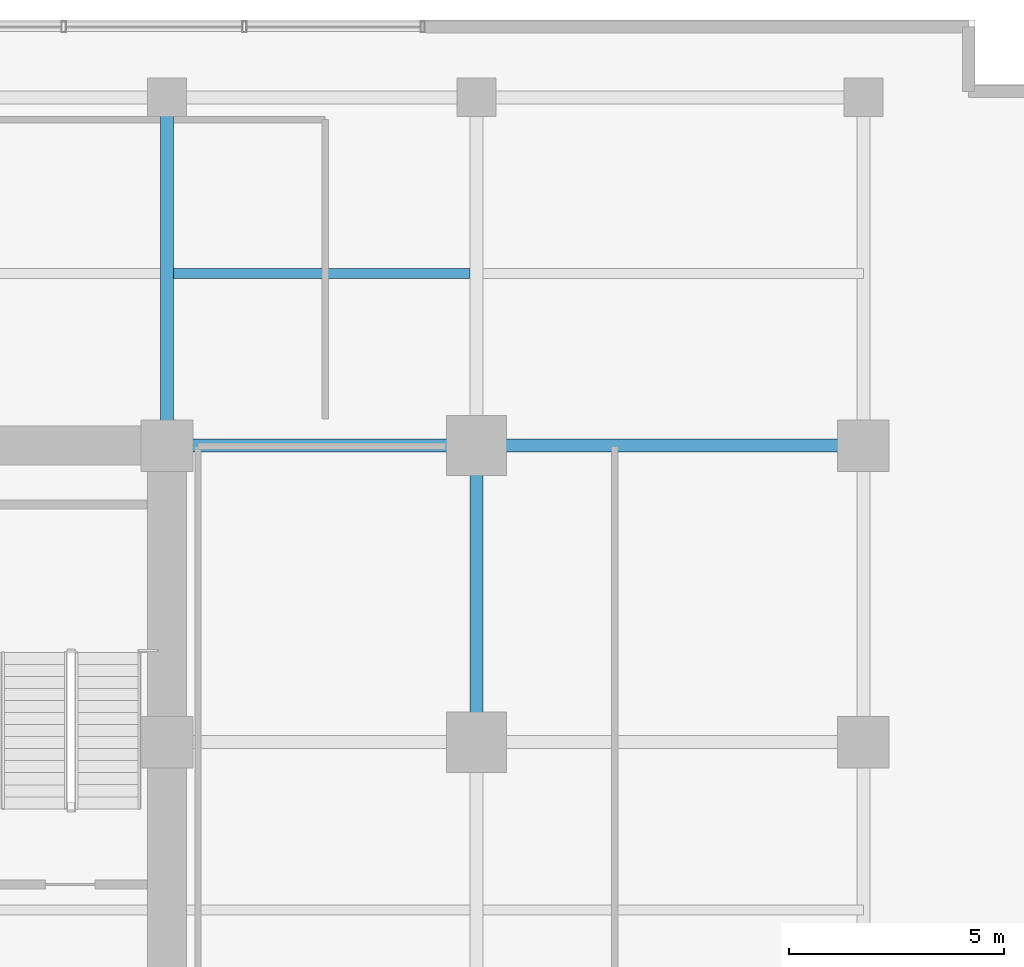
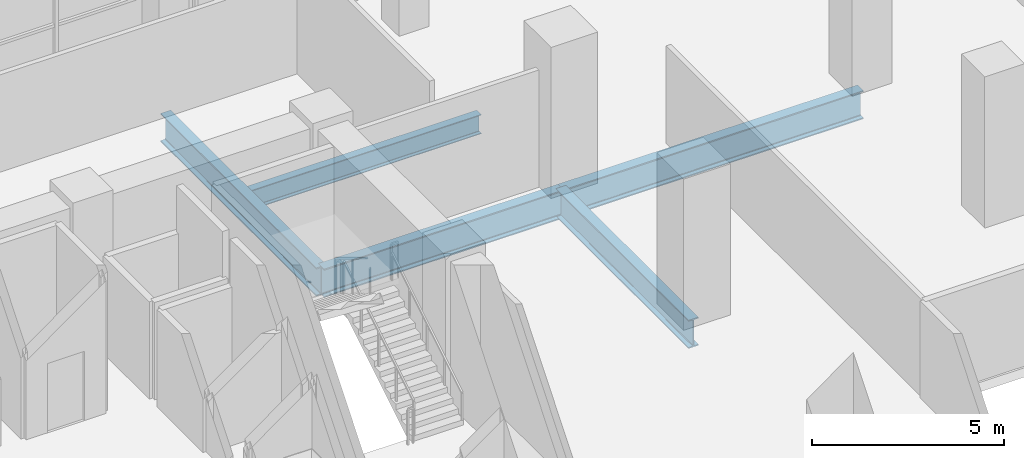
# One storey, part 12 of 22: 5 beams.
"""IFC4 building model written with IfcOpenShell, lengths in metres."""

from ifc_helpers import new_model, si_unit, direction, frame, origin, origin_2d, place, context, subcontext, project, spatial, i_section, extrude, material, material_profile, profile_set, type_object, element, save


model = new_model("IFC4")

# Units and contexts
model_context = context("Model", 3, precision=1e-05, world=origin(), true_north=direction((0.0, 1.0)))
body_context = subcontext(model_context, "Body", "Model", "MODEL_VIEW")
ifc_project = project(units=[si_unit("LENGTHUNIT", "METRE"), si_unit("AREAUNIT", "SQUARE_METRE"), si_unit("VOLUMEUNIT", "CUBIC_METRE"), si_unit("PLANEANGLEUNIT", "RADIAN"), si_unit("MASSUNIT", "GRAM", prefix="KILO")], contexts=[model_context])

# Site, building, storey
site_placement = place(None, origin())
site = spatial("IfcSite", under=ifc_project, at=site_placement, CompositionType="ELEMENT")
building_placement = place(site_placement, origin())
building = spatial("IfcBuilding", under=site, at=building_placement, Name="Zarnakvel Exchange Tower", CompositionType="ELEMENT")
storey_placement = place(building_placement, frame((0.0, 0.0, 22.60009765625)))
storey = spatial("IfcBuildingStorey", under=building, at=storey_placement, Name="L05", CompositionType="ELEMENT", Elevation=22.60009765625)

# Beams
ifc_material = material(Name="Steel S355", Category="steel")
ifc_material_profile_1 = material_profile(ifc_material, i_section(OverallWidth=0.230224609375, OverallDepth=0.6171875, WebThickness=0.01318359375, FlangeThickness=0.022216796875, FilletRadius=0.0126953125, at=origin_2d()))
ifc_profile_set_1 = profile_set([ifc_material_profile_1], Name="Steel S355")
beam_type_1 = type_object("IfcBeamType", Name="B-02", PredefinedType="JOIST", material=ifc_profile_set_1)
beam_1_placement = place(storey_placement, frame((14.550048828125, 17.5, -0.608642578125), z_axis=(1.0, 0.0, 0.0), x_axis=(0.0, 1.0, 0.0)))
element("IfcBeam", 1, at=beam_1_placement, inside=storey, type_object=beam_type_1, Name="L05 North Bay Secondary Floor Joist", PredefinedType="JOIST", context=body_context, shape_type="SweptSolid", body=[
    extrude(i_section(OverallWidth=0.230224609375, OverallDepth=0.6171875, WebThickness=0.01318359375, FlangeThickness=0.022216796875, FilletRadius=0.0126953125, at=origin_2d()), origin(), (0.0, 0.0, 1.0), 6.89990234375),
])
ifc_material_profile_2 = material_profile(ifc_material, i_section(OverallWidth=0.300048828125, OverallDepth=0.89990234375, WebThickness=0.0185546875, FlangeThickness=0.034912109375, FilletRadius=0.030029296875, at=origin_2d()))
ifc_profile_set_2 = profile_set([ifc_material_profile_2], Name="Steel S355")
beam_type_2 = type_object("IfcBeamType", Name="G-01", PredefinedType="BEAM", material=ifc_profile_set_2)
beam_2_placement = place(storey_placement, frame((14.39990234375, 13.5, -0.75), z_axis=(1.0, 0.0, 0.0), x_axis=(0.0, 1.0, 0.0)))
element("IfcBeam", 2, at=beam_2_placement, inside=storey, type_object=beam_type_2, Name="L05 Primary E-W Girder Y=+13.5", PredefinedType="BEAM", context=body_context, shape_type="SweptSolid", body=[
    extrude(i_section(OverallWidth=0.300048828125, OverallDepth=0.89990234375, WebThickness=0.0185546875, FlangeThickness=0.034912109375, FilletRadius=0.030029296875, at=origin_2d()), origin(), (0.0, 0.0, 1.0), 7.2001953125),
])
beam_3_placement = place(storey_placement, frame((21.60009765625, 13.5, -0.75), z_axis=(1.0, 0.0, 0.0), x_axis=(0.0, 1.0, 0.0)))
element("IfcBeam", 3, at=beam_3_placement, inside=storey, type_object=beam_type_2, Name="L05 Primary E-W Girder Y=+13.5", PredefinedType="BEAM", context=body_context, shape_type="SweptSolid", body=[
    extrude(i_section(OverallWidth=0.300048828125, OverallDepth=0.89990234375, WebThickness=0.0185546875, FlangeThickness=0.034912109375, FilletRadius=0.030029296875, at=origin_2d()), origin(), (0.0, 0.0, 1.0), 9.0),
])
beam_4_placement = place(storey_placement, frame((14.39990234375, 13.5, -0.75), z_axis=(0.0, 1.0, 0.0), x_axis=(-1.0, 0.0, 0.0)))
element("IfcBeam", 4, at=beam_4_placement, inside=storey, type_object=beam_type_2, Name="L05 Primary N-S Girder X=+14.4", PredefinedType="BEAM", context=body_context, shape_type="SweptSolid", body=[
    extrude(i_section(OverallWidth=0.300048828125, OverallDepth=0.89990234375, WebThickness=0.0185546875, FlangeThickness=0.034912109375, FilletRadius=0.030029296875, at=origin_2d()), origin(), (0.0, 0.0, 1.0), 8.10009765625),
])
beam_5_placement = place(storey_placement, frame((21.60009765625, 6.60009765625, -0.75), z_axis=(0.0, 1.0, 0.0), x_axis=(-1.0, 0.0, 0.0)))
element("IfcBeam", 5, at=beam_5_placement, inside=storey, type_object=beam_type_2, Name="L05 Primary N-S Girder X=+21.6", PredefinedType="BEAM", context=body_context, shape_type="SweptSolid", body=[
    extrude(i_section(OverallWidth=0.300048828125, OverallDepth=0.89990234375, WebThickness=0.0185546875, FlangeThickness=0.034912109375, FilletRadius=0.030029296875, at=origin_2d()), origin(), (0.0, 0.0, 1.0), 6.89990234375),
])

save(model, "model.ifc")
